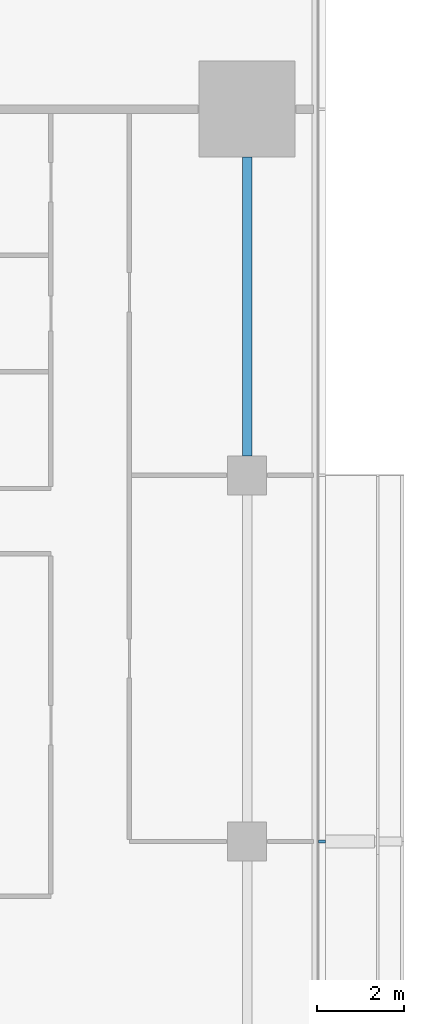
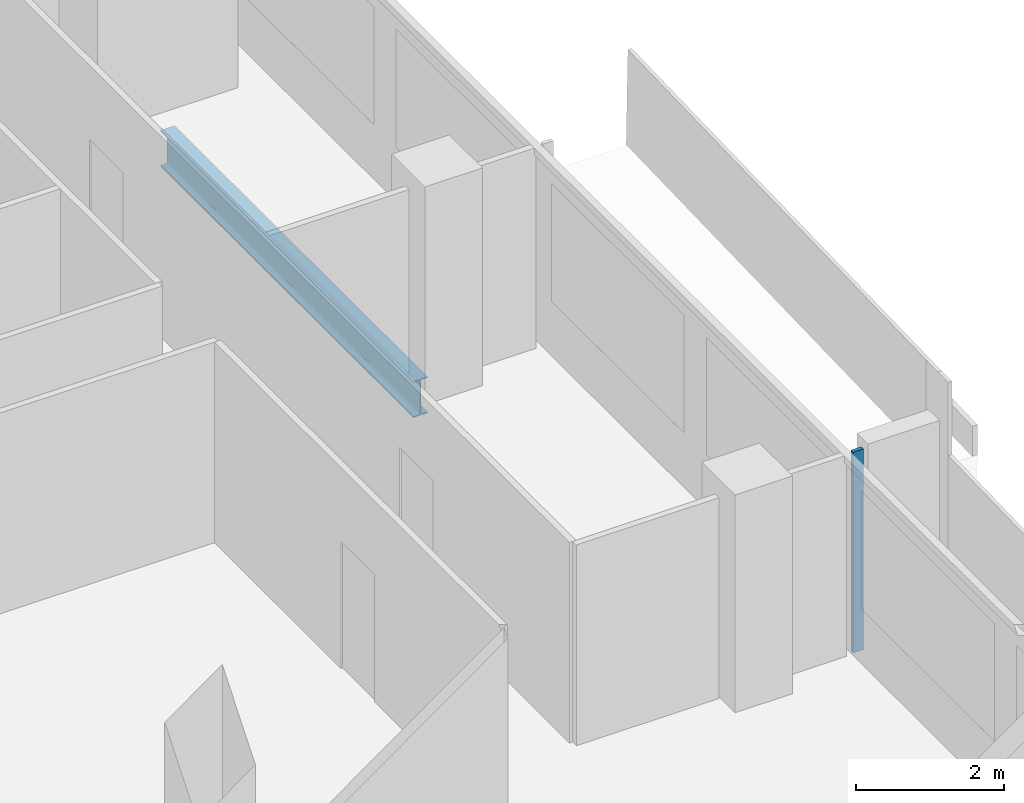
# One storey, part 12 of 28: 1 beam, 1 member, 1 element without a shape of its own.
"""IFC4 building model written with IfcOpenShell, lengths in metres."""

from ifc_helpers import new_model, si_unit, direction, frame, origin, origin_2d, place, context, subcontext, project, spatial, rectangle, i_section, extrude, material, material_profile, profile_set, type_object, element, aggregate, save


model = new_model("IFC4")

# Units and contexts
model_context = context("Model", 3, precision=1e-05, world=origin(), true_north=direction((0.0, 1.0)))
body_context = subcontext(model_context, "Body", "Model", "MODEL_VIEW")
ifc_project = project(units=[si_unit("LENGTHUNIT", "METRE"), si_unit("AREAUNIT", "SQUARE_METRE"), si_unit("VOLUMEUNIT", "CUBIC_METRE"), si_unit("PLANEANGLEUNIT", "RADIAN"), si_unit("MASSUNIT", "GRAM", prefix="KILO")], contexts=[model_context])

# Site, building, storey
site_placement = place(None, origin())
site = spatial("IfcSite", under=ifc_project, at=site_placement, CompositionType="ELEMENT")
building_placement = place(site_placement, origin())
building = spatial("IfcBuilding", under=site, at=building_placement, Name="Saffron Gate Tower", CompositionType="ELEMENT")
storey_placement = place(building_placement, frame((0.0, 0.0, 51.60009765625)))
storey = spatial("IfcBuildingStorey", under=building, at=storey_placement, Name="L11", CompositionType="ELEMENT", Elevation=51.60009765625)

# Beam
ifc_material_1 = material(Name="Structural steel S355", Category="steel")
ifc_material_profile_1 = material_profile(ifc_material_1, i_section(OverallWidth=0.219970703125, OverallDepth=0.60009765625, WebThickness=0.011962890625, FlangeThickness=0.01904296875, FilletRadius=0.02392578125, at=origin_2d()))
ifc_profile_set_1 = profile_set([ifc_material_profile_1], Name="Structural steel S355")
beam_type = type_object("IfcBeamType", Name="B16 IPE 600", PredefinedType="SPANDREL", material=ifc_profile_set_1)
beam_placement = place(storey_placement, frame((125.39990234375, 57.449951171875, -0.580078125), z_axis=(0.0, 1.0, 0.0), x_axis=(-1.0, 0.0, 0.0)))
element("IfcBeam", 1, at=beam_placement, inside=storey, type_object=beam_type, Name="B16 SPANDREL BEAM", PredefinedType="SPANDREL", context=body_context, shape_type="SweptSolid", body=[
    extrude(i_section(OverallWidth=0.219970703125, OverallDepth=0.60009765625, WebThickness=0.011962890625, FlangeThickness=0.01904296875, FilletRadius=0.02392578125, at=origin_2d()), origin(), (0.0, 0.0, 1.0), 6.85009765625),
])

# Curtain wall, member
ifc_material_2 = material(Name="Aluminium, bronze anodised", Category="aluminium")
curtain_wall_type = type_object("IfcCurtainWallType", Name="CWS2 curtain wall side facades", PredefinedType="NOTDEFINED", material=ifc_material_2)
curtain_wall_placement = place(storey_placement, origin())
curtain_wall = element("IfcCurtainWall", 2, at=curtain_wall_placement, inside=storey, type_object=curtain_wall_type, Name="CWS2 run 4", PredefinedType="NOTDEFINED")
ifc_material_profile_2 = material_profile(ifc_material_2, rectangle(XDim=0.159912109375, YDim=0.06005859375, at=origin_2d()))
ifc_profile_set_2 = profile_set([ifc_material_profile_2], Name="Aluminium, bronze anodised")
member_type = type_object("IfcMemberType", Name="CWS2 mullion 60x160", PredefinedType="MULLION", material=ifc_profile_set_2)
member_placement = place(storey_placement, frame((127.1201171875, 48.60009765625, 0.0), z_axis=(0.0, 0.0, 1.0), x_axis=(-1.0, 0.0, 0.0)))
member = element("IfcMember", 3, at=member_placement, type_object=member_type, Name="CWS2 mullion 3", PredefinedType="MULLION", context=body_context, shape_type="SweptSolid", body=[
    extrude(rectangle(XDim=0.159912109375, YDim=0.06005859375, at=origin_2d()), origin(), (0.0, 0.0, 1.0), 3.31982421875),
])
aggregate(curtain_wall, [member])

save(model, "model.ifc")
